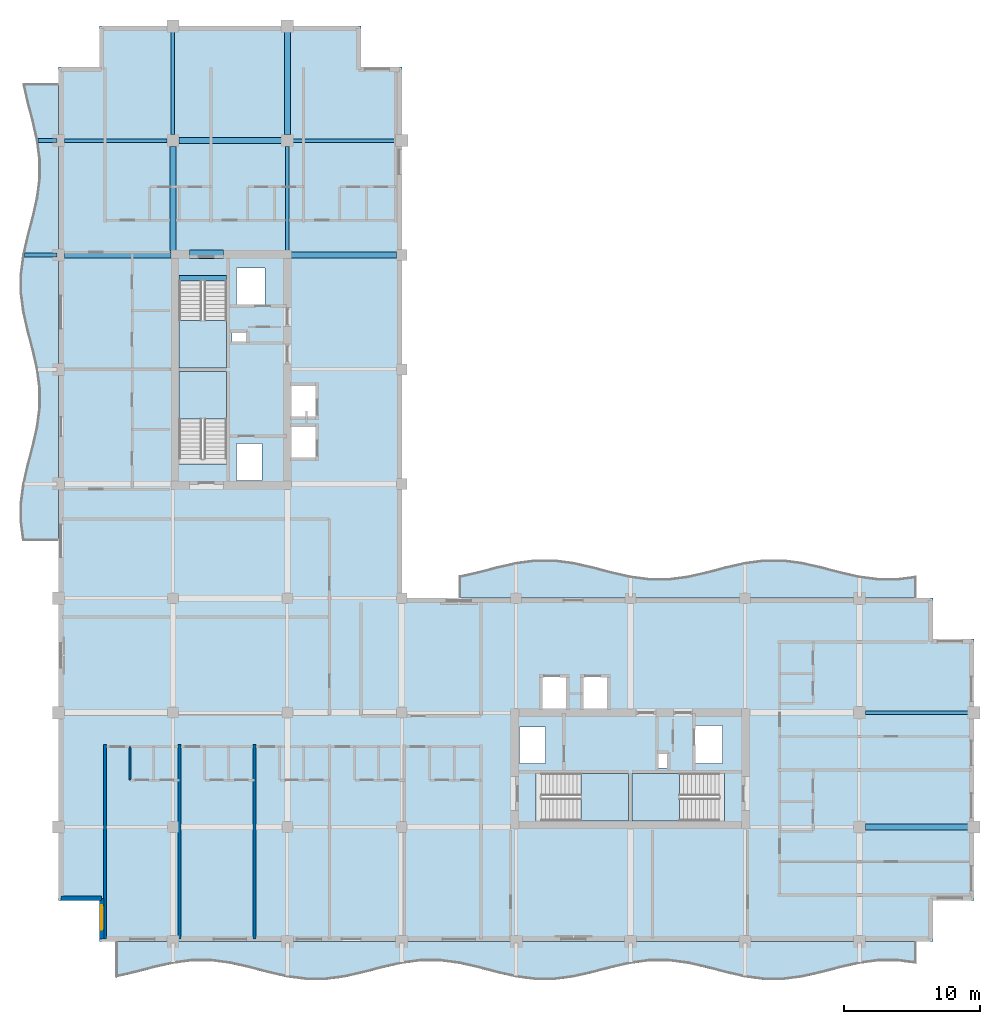
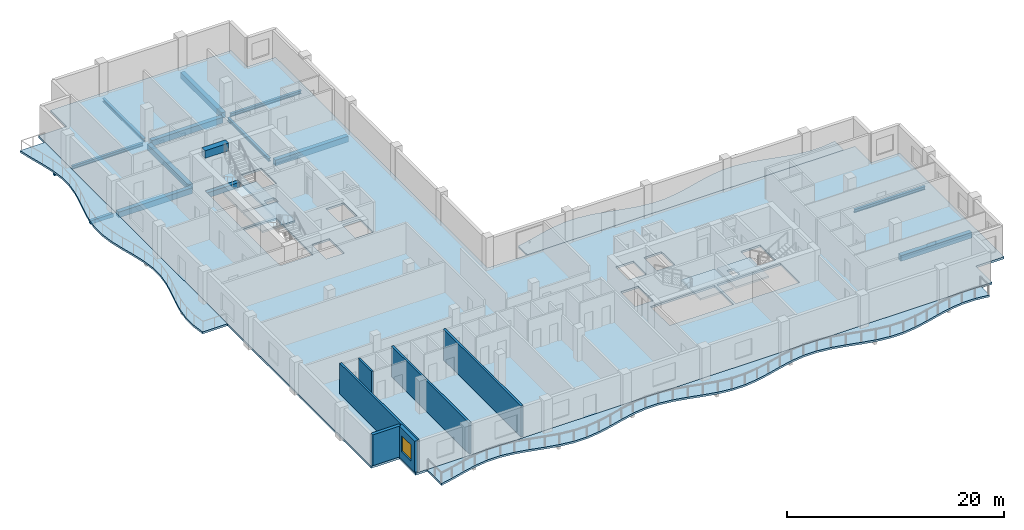
# One storey, part 2 of 12: 15 beams, 8 slabs, 6 walls, 1 window, 1 opening, 4 elements without a shape of their own.
"""IFC4 building model written with IfcOpenShell, lengths in metres."""

from ifc_helpers import new_model, si_unit, direction, frame, frame_2d, origin, origin_2d, place, context, subcontext, project, spatial, polyline, rectangle, i_section, outline, extrude, material, layer, layer_set, material_profile, profile_set, type_object, element, fill, aggregate, save


model = new_model("IFC4")

# Units and contexts
model_context = context("Model", 3, precision=1e-05, world=origin(), true_north=direction((0.0, 1.0)))
body_context = subcontext(model_context, "Body", "Model", "MODEL_VIEW")
ifc_project = project(units=[si_unit("LENGTHUNIT", "METRE"), si_unit("AREAUNIT", "SQUARE_METRE"), si_unit("VOLUMEUNIT", "CUBIC_METRE"), si_unit("PLANEANGLEUNIT", "RADIAN"), si_unit("MASSUNIT", "GRAM", prefix="KILO")], contexts=[model_context])

# Site, building, storey
site_placement = place(None, origin())
site = spatial("IfcSite", under=ifc_project, at=site_placement, CompositionType="ELEMENT")
building_placement = place(site_placement, origin())
building = spatial("IfcBuilding", under=site, at=building_placement, Name="Koriwani Terraces Tower", CompositionType="ELEMENT")
storey_placement = place(building_placement, frame((0.0, 0.0, 278.60009765625)))
storey = spatial("IfcBuildingStorey", under=building, at=storey_placement, Name="L69", CompositionType="ELEMENT", Elevation=278.60009765625)

# Beams
ifc_material_1 = material(Name="Concrete C40/50", Category="concrete")
ifc_material_profile_1 = material_profile(ifc_material_1, rectangle(XDim=0.300048828125, YDim=0.39990234375, at=origin_2d()), Name="Concrete C40/50", Category="LoadBearing")
ifc_profile_set_1 = profile_set([ifc_material_profile_1], Name="Concrete C40/50")
beam_type_1 = type_object("IfcBeamType", Name="BEAM_RC_BALCONY_RIB_300X400", PredefinedType="JOIST", material=ifc_profile_set_1)
beam_1_placement = place(storey_placement, frame((5.907958984375, 58.800048828125, -0.43017578125), z_axis=(1.0, 0.0, 0.0), x_axis=(0.0, 1.0, 0.0)))
element("IfcBeam", 1, at=beam_1_placement, inside=storey, type_object=beam_type_1, Name="L69 Balcony Bracket Rib W-3", PredefinedType="JOIST", context=body_context, shape_type="SweptSolid", body=[
    extrude(rectangle(XDim=0.300048828125, YDim=0.39990234375, at=origin_2d()), origin(), (0.0, 0.0, 1.0), 2.39208984375),
])
beam_2_placement = place(storey_placement, frame((6.912109375, 67.199951171875, -0.43017578125), z_axis=(1.0, 0.0, 0.0), x_axis=(0.0, 1.0, 0.0)))
element("IfcBeam", 2, at=beam_2_placement, inside=storey, type_object=beam_type_1, Name="L69 Balcony Bracket Rib W-4", PredefinedType="JOIST", context=body_context, shape_type="SweptSolid", body=[
    extrude(rectangle(XDim=0.300048828125, YDim=0.39990234375, at=origin_2d()), origin(), (0.0, 0.0, 1.0), 1.387939453125),
])
ifc_material_2 = material(Name="Concrete C50/60", Category="concrete")
ifc_material_profile_2 = material_profile(ifc_material_2, rectangle(XDim=0.60009765625, YDim=0.85009765625, at=origin_2d()), Name="Concrete C50/60", Category="LoadBearing")
ifc_profile_set_2 = profile_set([ifc_material_profile_2], Name="Concrete C50/60")
beam_type_2 = type_object("IfcBeamType", Name="BEAM_RC_COUPLING_600X850", PredefinedType="LINTEL", material=ifc_profile_set_2)
beam_3_placement = place(storey_placement, frame((18.0, 58.85009765625, 3.044921875), z_axis=(1.0, 0.0, 0.0), x_axis=(0.0, 1.0, 0.0)))
element("IfcBeam", 3, at=beam_3_placement, inside=storey, type_object=beam_type_2, Name="L69 Core Coupling Lintel Beam WN", PredefinedType="LINTEL", context=body_context, shape_type="SweptSolid", body=[
    extrude(rectangle(XDim=0.60009765625, YDim=0.85009765625, at=origin_2d()), origin(), (0.0, 0.0, 1.0), 2.5),
])
ifc_material_profile_3 = material_profile(ifc_material_1, rectangle(XDim=0.39990234375, YDim=0.60009765625, at=origin_2d()), Name="Concrete C40/50", Category="LoadBearing")
ifc_profile_set_3 = profile_set([ifc_material_profile_3], Name="Concrete C40/50")
beam_type_3 = type_object("IfcBeamType", Name="BEAM_RC_GRID_400X600", PredefinedType="BEAM", material=ifc_profile_set_3)
beam_4_placement = place(storey_placement, frame((17.25, 57.094970703125, -0.300048828125), z_axis=(1.0, 0.0, 0.0), x_axis=(0.0, 1.0, 0.0)))
element("IfcBeam", 4, at=beam_4_placement, inside=storey, type_object=beam_type_3, Name="L69 Stairwell Header Trimmer Beam ST-W2", PredefinedType="BEAM", context=body_context, shape_type="SweptSolid", body=[
    extrude(rectangle(XDim=0.39990234375, YDim=0.60009765625, at=origin_2d()), origin(), (0.0, 0.0, 1.0), 3.5),
])
ifc_material_profile_4 = material_profile(ifc_material_2, rectangle(XDim=0.449951171875, YDim=0.64990234375, at=origin_2d()), Name="Concrete C50/60", Category="LoadBearing")
ifc_profile_set_4 = profile_set([ifc_material_profile_4], Name="Concrete C50/60")
beam_type_4 = type_object("IfcBeamType", Name="BEAM_RC_GRID_450X650", PredefinedType="BEAM", material=ifc_profile_set_4)
beam_5_placement = place(storey_placement, frame((67.6298828125, 16.800048828125, -0.55517578125), z_axis=(1.0, 0.0, 0.0), x_axis=(0.0, 1.0, 0.0)))
element("IfcBeam", 5, at=beam_5_placement, inside=storey, type_object=beam_type_4, Name="L69 Grid Beam C (67.2-75.6m)", PredefinedType="BEAM", context=body_context, shape_type="SweptSolid", body=[
    extrude(rectangle(XDim=0.449951171875, YDim=0.64990234375, at=origin_2d()), origin(), (0.0, 0.0, 1.0), 7.5400390625),
])
beam_6_placement = place(storey_placement, frame((8.830078125, 58.800048828125, -0.55517578125), z_axis=(1.0, 0.0, 0.0), x_axis=(0.0, 1.0, 0.0)))
element("IfcBeam", 6, at=beam_6_placement, inside=storey, type_object=beam_type_4, Name="L69 Grid Beam H (8.4-16.8m)", PredefinedType="BEAM", context=body_context, shape_type="SweptSolid", body=[
    extrude(rectangle(XDim=0.449951171875, YDim=0.64990234375, at=origin_2d()), origin(), (0.0, 0.0, 1.0), 7.83984375),
])
beam_7_placement = place(storey_placement, frame((25.47998046875, 58.800048828125, -0.55517578125), z_axis=(1.0, 0.0, 0.0), x_axis=(0.0, 1.0, 0.0)))
element("IfcBeam", 7, at=beam_7_placement, inside=storey, type_object=beam_type_4, Name="L69 Grid Beam H (25.2-33.6m)", PredefinedType="BEAM", context=body_context, shape_type="SweptSolid", body=[
    extrude(rectangle(XDim=0.449951171875, YDim=0.64990234375, at=origin_2d()), origin(), (0.0, 0.0, 1.0), 7.739990234375),
])
beam_8_placement = place(storey_placement, frame((17.22998046875, 67.199951171875, -0.55517578125), z_axis=(1.0, 0.0, 0.0), x_axis=(0.0, 1.0, 0.0)))
element("IfcBeam", 8, at=beam_8_placement, inside=storey, type_object=beam_type_4, Name="L69 Grid Beam I (16.8-25.2m)", PredefinedType="BEAM", context=body_context, shape_type="SweptSolid", body=[
    extrude(rectangle(XDim=0.449951171875, YDim=0.64990234375, at=origin_2d()), origin(), (0.0, 0.0, 1.0), 7.5400390625),
])
beam_9_placement = place(storey_placement, frame((16.800048828125, 59.1298828125, -0.55517578125), z_axis=(0.0, 1.0, 0.0), x_axis=(-1.0, 0.0, 0.0)))
element("IfcBeam", 9, at=beam_9_placement, inside=storey, type_object=beam_type_4, Name="L69 Grid Beam 3 (58.8-67.2m)", PredefinedType="BEAM", context=body_context, shape_type="SweptSolid", body=[
    extrude(rectangle(XDim=0.449951171875, YDim=0.64990234375, at=origin_2d()), origin(), (0.0, 0.0, 1.0), 7.64013671875),
])
beam_10_placement = place(storey_placement, frame((25.199951171875, 67.6298828125, -0.55517578125), z_axis=(0.0, 1.0, 0.0), x_axis=(-1.0, 0.0, 0.0)))
element("IfcBeam", 10, at=beam_10_placement, inside=storey, type_object=beam_type_4, Name="L69 Grid Beam 4 (67.2-75.6m)", PredefinedType="BEAM", context=body_context, shape_type="SweptSolid", body=[
    extrude(rectangle(XDim=0.449951171875, YDim=0.64990234375, at=origin_2d()), origin(), (0.0, 0.0, 1.0), 7.5400390625),
])
ifc_material_3 = material(Name="Steel ASTM A572 Grade 50", Category="steel")
ifc_material_profile_5 = material_profile(ifc_material_3, i_section(OverallWidth=0.257080078125, OverallDepth=0.363037109375, WebThickness=0.012939453125, FlangeThickness=0.021728515625, at=origin_2d()), Name="Steel ASTM A572 Grade 50", Category="LoadBearing")
ifc_profile_set_5 = profile_set([ifc_material_profile_5], Name="Steel ASTM A572 Grade 50")
beam_type_5 = type_object("IfcBeamType", Name="STEEL_BEAM_W360X122", PredefinedType="JOIST", material=ifc_profile_set_5)
for number, where, z_axis, x_axis, name in (
    (11, (67.6298828125, 25.199951171875, -0.41162109375), (1.0, 0.0, 0.0), (0.0, 1.0, 0.0), "L69 Grid Beam D (67.2-75.6m)"),
    (12, (8.830078125, 67.199951171875, -0.41162109375), (1.0, 0.0, 0.0), (0.0, 1.0, 0.0), "L69 Grid Beam I (8.4-16.8m)"),
    (13, (25.6298828125, 67.199951171875, -0.41162109375), (1.0, 0.0, 0.0), (0.0, 1.0, 0.0), "L69 Grid Beam I (25.2-33.6m)"),
    (14, (16.800048828125, 67.6298828125, -0.41162109375), (0.0, 1.0, 0.0), (-1.0, 0.0, 0.0), "L69 Grid Beam 3 (67.2-75.6m)"),
):
    element("IfcBeam", number, at=place(storey_placement, frame(where, z_axis=z_axis, x_axis=x_axis)), inside=storey, type_object=beam_type_5, Name=name, PredefinedType="JOIST", context=body_context, shape_type="SweptSolid", body=[
        extrude(i_section(OverallWidth=0.257080078125, OverallDepth=0.363037109375, WebThickness=0.012939453125, FlangeThickness=0.021728515625, at=origin_2d()), origin(), (0.0, 0.0, 1.0), 7.5400390625),
    ])
beam_11_placement = place(storey_placement, frame((25.199951171875, 59.1298828125, -0.41162109375), z_axis=(0.0, 1.0, 0.0), x_axis=(-1.0, 0.0, 0.0)))
element("IfcBeam", 15, at=beam_11_placement, inside=storey, type_object=beam_type_5, Name="L69 Grid Beam 4 (58.8-67.2m)", PredefinedType="JOIST", context=body_context, shape_type="SweptSolid", body=[
    extrude(i_section(OverallWidth=0.257080078125, OverallDepth=0.363037109375, WebThickness=0.012939453125, FlangeThickness=0.021728515625, at=origin_2d()), origin(), (0.0, 0.0, 1.0), 7.64013671875),
])

# Slabs
ifc_layer_1 = layer(ifc_material_1, 0.219970703125, Name="Concrete C40/50")
ifc_layer_set_1 = layer_set([ifc_layer_1], Name="Concrete C40/50")
slab_type_1 = type_object("IfcSlabType", Name="SLAB_BALCONY_220", PredefinedType="FLOOR", material=ifc_layer_set_1)
slab_1_placement = place(storey_placement, frame((0.0, 0.0, -0.22021484375)))
element("IfcSlab", 16, at=slab_1_placement, inside=storey, type_object=slab_type_1, Name="L69 Quilted Circular-Arc Balcony (S)", PredefinedType="FLOOR", context=body_context, shape_type="SweptSolid", body=[
    extrude(outline(polyline([(12.60009765625, 8.39990234375), (14.0, 8.39990234375), (15.39990234375, 8.39990234375), (16.800048828125, 8.39990234375), (18.199951171875, 8.39990234375), (19.60009765625, 8.39990234375), (21.0, 8.39990234375), (22.39990234375, 8.39990234375), (23.800048828125, 8.39990234375), (25.199951171875, 8.39990234375), (26.60009765625, 8.39990234375), (28.0, 8.39990234375), (29.39990234375, 8.39990234375), (30.800048828125, 8.39990234375), (32.199951171875, 8.39990234375), (33.60009765625, 8.39990234375), (35.0, 8.39990234375), (36.39990234375, 8.39990234375), (37.800048828125, 8.39990234375), (39.199951171875, 8.39990234375), (40.60009765625, 8.39990234375), (42.0, 8.39990234375), (43.39990234375, 8.39990234375), (44.800048828125, 8.39990234375), (46.199951171875, 8.39990234375), (47.60009765625, 8.39990234375), (49.0, 8.39990234375), (50.39990234375, 8.39990234375), (51.800048828125, 8.39990234375), (53.199951171875, 8.39990234375), (54.60009765625, 8.39990234375), (56.0, 8.39990234375), (57.39990234375, 8.39990234375), (58.800048828125, 8.39990234375), (60.199951171875, 8.39990234375), (61.60009765625, 8.39990234375), (63.0, 8.39990234375), (64.39990234375, 8.39990234375), (65.800048828125, 8.39990234375), (67.199951171875, 8.39990234375), (68.60009765625, 8.39990234375), (70.0, 8.39990234375), (71.39990234375, 8.39990234375), (71.39990234375, 6.761962890625), (70.0, 6.94580078125), (68.60009765625, 6.94580078125), (67.199951171875, 6.761962890625), (65.800048828125, 6.44384765625), (64.39990234375, 6.076171875), (63.0, 5.758056640625), (61.60009765625, 5.57421875), (60.199951171875, 5.57421875), (58.800048828125, 5.758056640625), (57.39990234375, 6.076171875), (56.0, 6.44384765625), (54.60009765625, 6.761962890625), (53.199951171875, 6.94580078125), (51.800048828125, 6.94580078125), (50.39990234375, 6.761962890625), (49.0, 6.44384765625), (47.60009765625, 6.076171875), (46.199951171875, 5.758056640625), (44.800048828125, 5.57421875), (43.39990234375, 5.57421875), (42.0, 5.758056640625), (40.60009765625, 6.076171875), (39.199951171875, 6.44384765625), (37.800048828125, 6.761962890625), (36.39990234375, 6.94580078125), (35.0, 6.94580078125), (33.60009765625, 6.761962890625), (32.199951171875, 6.44384765625), (30.800048828125, 6.076171875), (29.39990234375, 5.758056640625), (28.0, 5.57421875), (26.60009765625, 5.57421875), (25.199951171875, 5.758056640625), (23.800048828125, 6.076171875), (22.39990234375, 6.44384765625), (21.0, 6.761962890625), (19.60009765625, 6.94580078125), (18.199951171875, 6.94580078125), (16.800048828125, 6.761962890625), (15.39990234375, 6.44384765625), (14.0, 6.076171875), (12.60009765625, 5.758056640625), (12.60009765625, 8.39990234375)])), origin(), (0.0, 0.0, 1.0), 0.22021484375),
])
slab_2_placement = place(storey_placement, frame((0.0, 0.0, -0.22021484375)))
element("IfcSlab", 17, at=slab_2_placement, inside=storey, type_object=slab_type_1, Name="L69 Quilted Circular-Arc Balcony (W)", PredefinedType="FLOOR", context=body_context, shape_type="SweptSolid", body=[
    extrude(outline(polyline([(8.39990234375, 37.800048828125), (8.39990234375, 39.199951171875), (8.39990234375, 40.60009765625), (8.39990234375, 42.0), (8.39990234375, 43.39990234375), (8.39990234375, 44.800048828125), (8.39990234375, 46.199951171875), (8.39990234375, 47.60009765625), (8.39990234375, 49.0), (8.39990234375, 50.39990234375), (8.39990234375, 51.800048828125), (8.39990234375, 53.199951171875), (8.39990234375, 54.60009765625), (8.39990234375, 56.0), (8.39990234375, 57.39990234375), (8.39990234375, 58.800048828125), (8.39990234375, 60.199951171875), (8.39990234375, 61.60009765625), (8.39990234375, 63.0), (8.39990234375, 64.39990234375), (8.39990234375, 65.800048828125), (8.39990234375, 67.199951171875), (8.39990234375, 68.60009765625), (8.39990234375, 70.0), (8.39990234375, 71.39990234375), (5.758056640625, 71.39990234375), (6.076171875, 70.0), (6.44384765625, 68.60009765625), (6.761962890625, 67.199951171875), (6.94580078125, 65.800048828125), (6.94580078125, 64.39990234375), (6.761962890625, 63.0), (6.44384765625, 61.60009765625), (6.076171875, 60.199951171875), (5.758056640625, 58.800048828125), (5.57421875, 57.39990234375), (5.57421875, 56.0), (5.758056640625, 54.60009765625), (6.076171875, 53.199951171875), (6.44384765625, 51.800048828125), (6.761962890625, 50.39990234375), (6.94580078125, 49.0), (6.94580078125, 47.60009765625), (6.761962890625, 46.199951171875), (6.44384765625, 44.800048828125), (6.076171875, 43.39990234375), (5.758056640625, 42.0), (5.57421875, 40.60009765625), (5.57421875, 39.199951171875), (5.758056640625, 37.800048828125), (8.39990234375, 37.800048828125)])), origin(), (0.0, 0.0, 1.0), 0.22021484375),
])
slab_3_placement = place(storey_placement, frame((0.0, 0.0, -0.22021484375)))
element("IfcSlab", 18, at=slab_3_placement, inside=storey, type_object=slab_type_1, Name="L69 Quilted Circular-Arc Balcony (NE)", PredefinedType="FLOOR", context=body_context, shape_type="SweptSolid", body=[
    extrude(outline(polyline([(71.39990234375, 33.60009765625), (70.0, 33.60009765625), (68.60009765625, 33.60009765625), (67.199951171875, 33.60009765625), (65.800048828125, 33.60009765625), (64.39990234375, 33.60009765625), (63.0, 33.60009765625), (61.60009765625, 33.60009765625), (60.199951171875, 33.60009765625), (58.800048828125, 33.60009765625), (57.39990234375, 33.60009765625), (56.0, 33.60009765625), (54.60009765625, 33.60009765625), (53.199951171875, 33.60009765625), (51.800048828125, 33.60009765625), (50.39990234375, 33.60009765625), (49.0, 33.60009765625), (47.60009765625, 33.60009765625), (46.199951171875, 33.60009765625), (44.800048828125, 33.60009765625), (43.39990234375, 33.60009765625), (42.0, 33.60009765625), (40.60009765625, 33.60009765625), (39.199951171875, 33.60009765625), (37.800048828125, 33.60009765625), (37.800048828125, 35.238037109375), (39.199951171875, 35.55615234375), (40.60009765625, 35.923828125), (42.0, 36.241943359375), (43.39990234375, 36.42578125), (44.800048828125, 36.42578125), (46.199951171875, 36.241943359375), (47.60009765625, 35.923828125), (49.0, 35.55615234375), (50.39990234375, 35.238037109375), (51.800048828125, 35.05419921875), (53.199951171875, 35.05419921875), (54.60009765625, 35.238037109375), (56.0, 35.55615234375), (57.39990234375, 35.923828125), (58.800048828125, 36.241943359375), (60.199951171875, 36.42578125), (61.60009765625, 36.42578125), (63.0, 36.241943359375), (64.39990234375, 35.923828125), (65.800048828125, 35.55615234375), (67.199951171875, 35.238037109375), (68.60009765625, 35.05419921875), (70.0, 35.05419921875), (71.39990234375, 35.238037109375), (71.39990234375, 33.60009765625)])), origin(), (0.0, 0.0, 1.0), 0.22021484375),
])
ifc_layer_2 = layer(ifc_material_1, 0.22998046875, Name="Concrete C40/50")
ifc_layer_set_2 = layer_set([ifc_layer_2], Name="Concrete C40/50")
slab_type_2 = type_object("IfcSlabType", Name="SLAB_RES_TYP_230", PredefinedType="FLOOR", material=ifc_layer_set_2)
slab_4_placement = place(storey_placement, frame((0.0, 0.0, -0.22998046875)))
element("IfcSlab", 19, at=slab_4_placement, inside=storey, type_object=slab_type_2, Name="L69 Structural Floor Slab", PredefinedType="FLOOR", context=body_context, shape_type="SweptSolid", body=[
    extrude(outline(polyline([(11.39990234375, 8.39990234375), (72.60009765625, 8.39990234375), (72.60009765625, 11.39990234375), (75.60009765625, 11.39990234375), (75.60009765625, 30.60009765625), (72.60009765625, 30.60009765625), (72.60009765625, 33.60009765625), (33.60009765625, 33.60009765625), (33.60009765625, 72.60009765625), (30.60009765625, 72.60009765625), (30.60009765625, 75.60009765625), (11.39990234375, 75.60009765625), (11.39990234375, 72.60009765625), (8.39990234375, 72.60009765625), (8.39990234375, 11.39990234375), (11.39990234375, 11.39990234375), (11.39990234375, 8.39990234375)]), holes=[polyline([(17.25, 43.4599609375), (20.75, 43.4599609375), (20.75, 50.25), (17.25, 50.25), (17.25, 43.4599609375)]), polyline([(17.25, 50.5), (20.75, 50.5), (20.75, 57.2900390625), (17.25, 57.2900390625), (17.25, 50.5)]), polyline([(43.4599609375, 17.25), (50.25, 17.25), (50.25, 20.75), (43.4599609375, 20.75), (43.4599609375, 17.25)]), polyline([(50.5, 17.25), (57.2900390625, 17.25), (57.2900390625, 20.75), (50.5, 20.75), (50.5, 17.25)]), polyline([(25.449951171875, 43.85009765625), (27.35009765625, 43.85009765625), (27.35009765625, 46.25), (25.449951171875, 46.25), (25.449951171875, 43.85009765625)]), polyline([(25.449951171875, 46.85009765625), (27.35009765625, 46.85009765625), (27.35009765625, 49.25), (25.449951171875, 49.25), (25.449951171875, 46.85009765625)]), polyline([(43.85009765625, 25.449951171875), (45.75, 25.449951171875), (45.75, 27.85009765625), (43.85009765625, 27.85009765625), (43.85009765625, 25.449951171875)]), polyline([(46.85009765625, 25.449951171875), (48.75, 25.449951171875), (48.75, 27.85009765625), (46.85009765625, 27.85009765625), (46.85009765625, 25.449951171875)]), polyline([(21.449951171875, 55.050048828125), (23.550048828125, 55.050048828125), (23.550048828125, 57.85009765625), (21.449951171875, 57.85009765625), (21.449951171875, 55.050048828125)]), polyline([(55.050048828125, 21.449951171875), (57.14990234375, 21.449951171875), (57.14990234375, 24.25), (55.050048828125, 24.25), (55.050048828125, 21.449951171875)]), polyline([(21.449951171875, 42.25), (23.35009765625, 42.25), (23.35009765625, 44.949951171875), (21.449951171875, 44.949951171875), (21.449951171875, 42.25)]), polyline([(42.25, 21.449951171875), (44.14990234375, 21.449951171875), (44.14990234375, 24.14990234375), (42.25, 24.14990234375), (42.25, 21.449951171875)]), polyline([(21.14990234375, 52.419921875), (22.219970703125, 52.419921875), (22.219970703125, 53.179931640625), (21.14990234375, 53.179931640625), (21.14990234375, 52.419921875)]), polyline([(52.419921875, 21.14990234375), (53.179931640625, 21.14990234375), (53.179931640625, 22.219970703125), (52.419921875, 22.219970703125), (52.419921875, 21.14990234375)])]), origin(), (0.0, 0.0, 1.0), 0.22998046875),
])

# Stair, slab
stair_type = type_object("IfcStairType", Name="STAIR_CORE_DOGLEG_1650", PredefinedType="TWO_STRAIGHT_RUN_STAIR", material=ifc_material_1)
stair_1_placement = place(storey_placement, origin())
stair_1 = element("IfcStair", 20, at=stair_1_placement, inside=storey, type_object=stair_type, Name="L69 West Core Exit Stair 1", PredefinedType="HALF_TURN_STAIR")
ifc_layer_3 = layer(ifc_material_1, 0.199951171875, Name="Concrete C40/50")
ifc_layer_set_3 = layer_set([ifc_layer_3], Name="Concrete C40/50")
slab_type_3 = type_object("IfcSlabType", Name="SLAB_STAIR_LANDING_200", PredefinedType="LANDING", material=ifc_layer_set_3)
slab_5_placement = place(storey_placement, frame((0.0, 0.0, 1.64990234375)))
slab_5 = element("IfcSlab", 21, at=slab_5_placement, type_object=slab_type_3, Name="ST-W1 landing 1", PredefinedType="LANDING", context=body_context, shape_type="SweptSolid", body=[
    extrude(outline(polyline([(20.75, 46.75), (20.75, 50.25), (17.25, 50.25), (17.25, 46.75), (20.75, 46.75)])), origin(), (0.0, 0.0, 1.0), 0.199951171875),
])
aggregate(stair_1, [slab_5])

stair_2_placement = place(storey_placement, origin())
stair_2 = element("IfcStair", 22, at=stair_2_placement, inside=storey, type_object=stair_type, Name="L69 West Core Exit Stair 2", PredefinedType="HALF_TURN_STAIR")
slab_6_placement = place(storey_placement, frame((0.0, 0.0, 1.64990234375)))
slab_6 = element("IfcSlab", 23, at=slab_6_placement, type_object=slab_type_3, Name="ST-W2 landing 1", PredefinedType="LANDING", context=body_context, shape_type="SweptSolid", body=[
    extrude(outline(polyline([(17.25, 54.0), (17.25, 50.5), (20.75, 50.5), (20.75, 54.0), (17.25, 54.0)])), origin(), (0.0, 0.0, 1.0), 0.199951171875),
])
aggregate(stair_2, [slab_6])

stair_3_placement = place(storey_placement, origin())
stair_3 = element("IfcStair", 24, at=stair_3_placement, inside=storey, type_object=stair_type, Name="L69 East Core Exit Stair 1", PredefinedType="HALF_TURN_STAIR")
slab_7_placement = place(storey_placement, frame((0.0, 0.0, 1.64990234375)))
slab_7 = element("IfcSlab", 25, at=slab_7_placement, type_object=slab_type_3, Name="ST-E1 landing 1", PredefinedType="LANDING", context=body_context, shape_type="SweptSolid", body=[
    extrude(outline(polyline([(46.75, 17.25), (50.25, 17.25), (50.25, 20.75), (46.75, 20.75), (46.75, 17.25)])), origin(), (0.0, 0.0, 1.0), 0.199951171875),
])
aggregate(stair_3, [slab_7])

stair_4_placement = place(storey_placement, origin())
stair_4 = element("IfcStair", 26, at=stair_4_placement, inside=storey, type_object=stair_type, Name="L69 East Core Exit Stair 2", PredefinedType="HALF_TURN_STAIR")
slab_8_placement = place(storey_placement, frame((0.0, 0.0, 1.64990234375)))
slab_8 = element("IfcSlab", 27, at=slab_8_placement, type_object=slab_type_3, Name="ST-E2 landing 1", PredefinedType="LANDING", context=body_context, shape_type="SweptSolid", body=[
    extrude(outline(polyline([(54.0, 20.75), (50.5, 20.75), (50.5, 17.25), (54.0, 17.25), (54.0, 20.75)])), origin(), (0.0, 0.0, 1.0), 0.199951171875),
])
aggregate(stair_4, [slab_8])

# Walls
ifc_material_4 = material(Name="Autoclaved Cellular Concrete Blockwork", Category="masonry")
ifc_layer_4 = layer(ifc_material_4, 0.219970703125, Name="Autoclaved Cellular Concrete Blockwork")
ifc_layer_set_4 = layer_set([ifc_layer_4], Name="Autoclaved Cellular Concrete Blockwork")
wall_type_1 = type_object("IfcWallType", Name="WALL_DEMISING_220", PredefinedType="PARTITIONING", material=ifc_layer_set_4)
for number, where, z_axis, x_axis, name in (
    (28, (11.800048828125, 8.60009765625, 0.0), (0.0, 0.0, 1.0), (0.0, 1.0, 0.0), "L69 Interior Wall WRDEM-L69-SW-0"),
    (29, (17.300048828125, 8.60009765625, 0.0), (0.0, 0.0, 1.0), (0.0, 1.0, 0.0), "L69 Interior Wall WRDEM-L69-SW-1"),
    (30, (22.800048828125, 8.60009765625, 0.0), (0.0, 0.0, 1.0), (0.0, 1.0, 0.0), "L69 Interior Wall WRDEM-L69-SW-2"),
):
    element("IfcWall", number, at=place(storey_placement, frame(where, z_axis=z_axis, x_axis=x_axis)), inside=storey, type_object=wall_type_1, Name=name, PredefinedType="PARTITIONING", context=body_context, shape_type="SweptSolid", body=[
        extrude(rectangle(XDim=14.27978515625, YDim=0.219970703125, at=frame_2d((7.139892578125, 0.0))), origin(), (0.0, 0.0, 1.0), 3.469970703125),
    ])

# Wall, opening, window
ifc_layer_5 = layer(ifc_material_2, 0.35009765625, Name="Concrete C50/60")
ifc_layer_set_5 = layer_set([ifc_layer_5], Name="Concrete C50/60")
wall_type_2 = type_object("IfcWallType", Name="WALL_EXT_BRUTALIST_350", PredefinedType="STANDARD", material=ifc_layer_set_5)
wall_1_placement = place(storey_placement, frame((11.574951171875, 8.574951171875, 0.0), z_axis=(0.0, 0.0, 1.0), x_axis=(0.0, 1.0, 0.0)))
wall_1 = element("IfcWall", 31, at=wall_1_placement, inside=storey, type_object=wall_type_2, Name="L69 Fair-Faced Brutalist Exterior Wall (N0)", PredefinedType="STANDARD", context=body_context, shape_type="SweptSolid", body=[
    extrude(rectangle(XDim=3.0, YDim=0.35009765625, at=frame_2d((1.5, 0.0))), origin(), (0.0, 0.0, 1.0), 3.469970703125),
])
opening_placement = place(wall_1_placement, frame((0.677490234375, 0.0, 0.85009765625)))
opening = element("IfcOpeningElement", 32, at=opening_placement, cuts=wall_1, Name="Opening W-04", PredefinedType="OPENING", context=body_context, shape_type="SweptSolid", body=[
    extrude(rectangle(XDim=1.800048828125, YDim=1.800048828125, at=frame_2d((0.89990234375, 0.89990234375))), frame((0.0, 0.18505859375, 0.0), z_axis=(0.0, -1.0, 0.0), x_axis=(1.0, 0.0, 0.0)), (0.0, 0.0, 1.0), 0.3701171875),
])
ifc_material_5 = material(Name="Tempered Laminated Low-E Glass", Category="glass")
window_type = type_object("IfcWindowType", Name="WIN_RES_BED_1800X1800", PartitioningType="DOUBLE_PANEL_VERTICAL", PredefinedType="WINDOW", material=ifc_material_5)
window_placement = place(opening_placement, origin())
window = element("IfcWindow", 33, at=window_placement, inside=storey, type_object=window_type, Name="L69 Exterior Window (N0-R32)", OverallHeight=1.800048828125, OverallWidth=1.800048828125, PartitioningType="SINGLE_PANEL", PredefinedType="WINDOW", context=body_context, shape_type="SweptSolid", body=[
    extrude(rectangle(XDim=1.800048828125, YDim=1.800048828125, at=frame_2d((0.89990234375, 0.89990234375))), frame((0.0, 0.030029296875, 0.0), z_axis=(0.0, -1.0, 0.0), x_axis=(1.0, 0.0, 0.0)), (0.0, 0.0, 1.0), 0.06005859375),
])
fill(opening, window)

# Walls
wall_2_placement = place(storey_placement, frame((11.574951171875, 11.574951171875, 0.0), z_axis=(0.0, 0.0, 1.0), x_axis=(-1.0, 0.0, 0.0)))
element("IfcWall", 34, at=wall_2_placement, inside=storey, type_object=wall_type_2, Name="L69 Fair-Faced Brutalist Exterior Wall (N1)", PredefinedType="STANDARD", context=body_context, shape_type="SweptSolid", body=[
    extrude(rectangle(XDim=3.0, YDim=0.35009765625, at=frame_2d((1.5, 0.0))), origin(), (0.0, 0.0, 1.0), 3.469970703125),
])
ifc_material_6 = material(Name="Fire-Rated Acoustic Gypsum Partition", Category="masonry")
ifc_layer_6 = layer(ifc_material_6, 0.179931640625, Name="Fire-Rated Acoustic Gypsum Partition")
ifc_layer_set_6 = layer_set([ifc_layer_6], Name="Fire-Rated Acoustic Gypsum Partition")
wall_type_3 = type_object("IfcWallType", Name="WALL_PLUMBING_180", PredefinedType="PLUMBINGWALL", material=ifc_layer_set_6)
wall_3_placement = place(storey_placement, frame((13.64990234375, 20.25, 0.0), z_axis=(0.0, 0.0, 1.0), x_axis=(0.0, 1.0, 0.0)))
element("IfcWall", 35, at=wall_3_placement, inside=storey, type_object=wall_type_3, Name="L69 Interior Wall WRSVCS-L69-SW-0", PredefinedType="PLUMBINGWALL", context=body_context, shape_type="SweptSolid", body=[
    extrude(rectangle(XDim=2.449951171875, YDim=0.179931640625, at=frame_2d((1.22509765625, 0.0))), origin(), (0.0, 0.0, 1.0), 3.469970703125),
])

save(model, "model.ifc")
